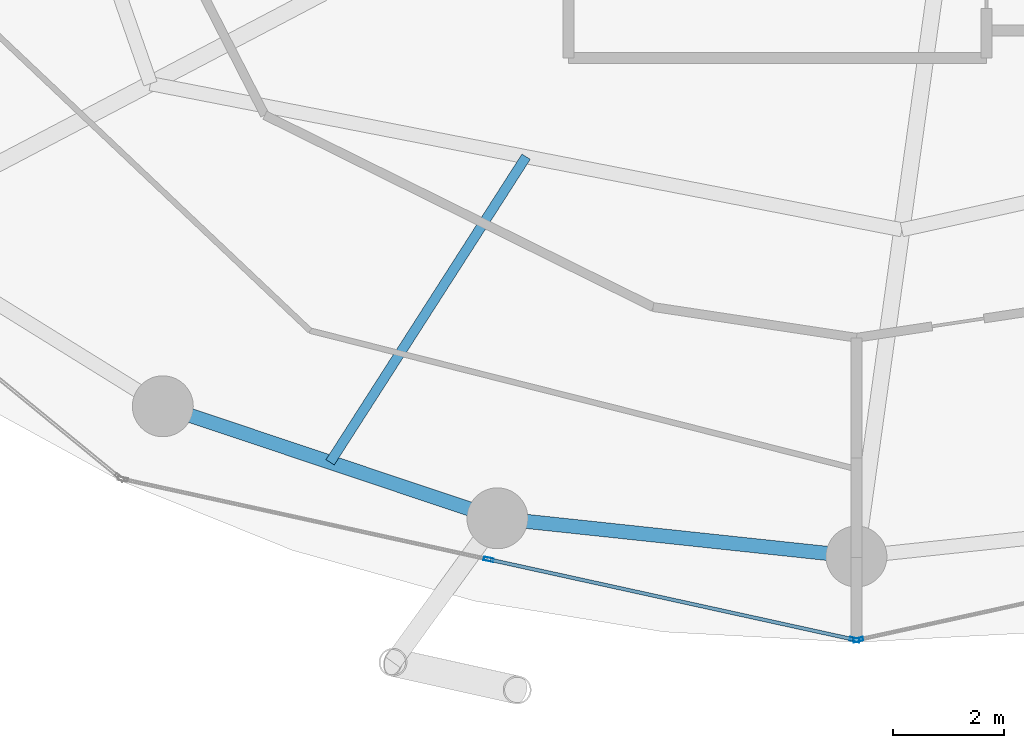
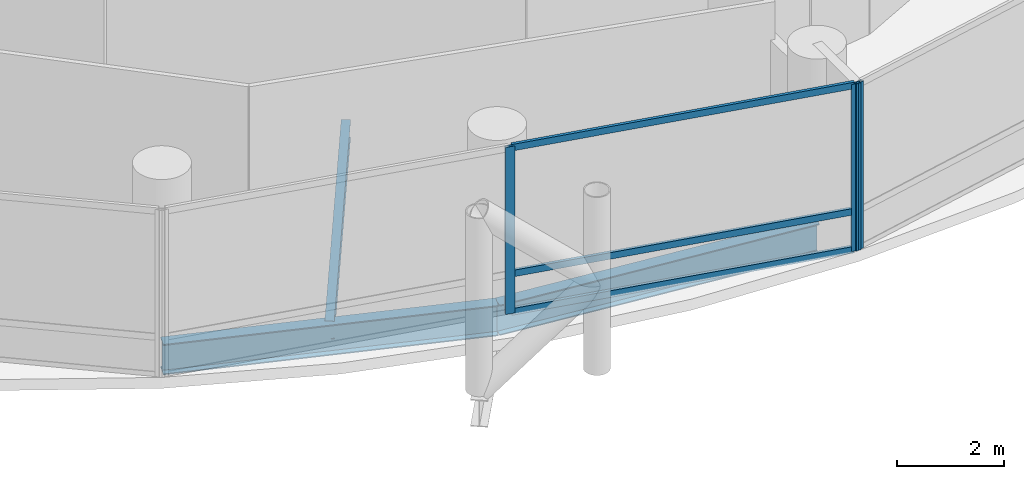
# One storey, part 4 of 24: 6 members, 3 beams, 2 elements without a shape of their own.
"""IFC4 building model written with IfcOpenShell, lengths in metres."""

from ifc_helpers import new_model, si_unit, direction, frame, origin, origin_2d, place, context, subcontext, project, spatial, hollow_rectangle, i_section, extrude, material, layer, layer_set, material_profile, profile_set, type_object, element, aggregate, save


model = new_model("IFC4")

# Units and contexts
model_context = context("Model", 3, precision=1e-05, world=origin(), true_north=direction((0.0, 1.0)))
body_context = subcontext(model_context, "Body", "Model", "MODEL_VIEW")
ifc_project = project(units=[si_unit("LENGTHUNIT", "METRE"), si_unit("AREAUNIT", "SQUARE_METRE"), si_unit("VOLUMEUNIT", "CUBIC_METRE"), si_unit("PLANEANGLEUNIT", "RADIAN"), si_unit("MASSUNIT", "GRAM", prefix="KILO")], contexts=[model_context])

# Site, building, storey
site_placement = place(None, origin())
site = spatial("IfcSite", under=ifc_project, at=site_placement, CompositionType="ELEMENT")
building_placement = place(site_placement, origin())
building = spatial("IfcBuilding", under=site, at=building_placement, Name="Nuhasar Tower", CompositionType="ELEMENT")
storey_placement = place(building_placement, frame((0.0, 0.0, 69.60009765625)))
storey = spatial("IfcBuildingStorey", under=building, at=storey_placement, Name="L16", CompositionType="ELEMENT", Elevation=69.60009765625)

# Beams
ifc_material_1 = material(Name="Steel S355", Category="steel")
ifc_material_profile_1 = material_profile(ifc_material_1, i_section(OverallWidth=0.177978515625, OverallDepth=0.406005859375, WebThickness=0.0078125, FlangeThickness=0.0126953125, at=origin_2d()), Name="W16X40")
ifc_profile_set_1 = profile_set([ifc_material_profile_1], Name="Steel S355")
beam_type_1 = type_object("IfcBeamType", Name="BM-JST-W16X40", PredefinedType="JOIST", material=ifc_profile_set_1)
beam_1_placement = place(storey_placement, frame((33.035888671875, 13.77001953125, -0.453125), z_axis=(-0.539944240715, -0.841700788237, 0.0), x_axis=(0.841700788237, -0.539944240715, 0.0)))
element("IfcBeam", 1, at=beam_1_placement, inside=storey, type_object=beam_type_1, Name="L16 Secondary Floor Joist 01", PredefinedType="JOIST", context=body_context, shape_type="SweptSolid", body=[
    extrude(i_section(OverallWidth=0.177978515625, OverallDepth=0.406005859375, WebThickness=0.0078125, FlangeThickness=0.0126953125, at=origin_2d()), origin(), (0.0, 0.0, 1.0), 6.555908203125),
])
ifc_material_profile_2 = material_profile(ifc_material_1, i_section(OverallWidth=0.256103515625, OverallDepth=0.693115234375, WebThickness=0.014404296875, FlangeThickness=0.023681640625, at=origin_2d()), Name="W27X114")
ifc_profile_set_2 = profile_set([ifc_material_profile_2], Name="Steel S355")
beam_type_2 = type_object("IfcBeamType", Name="BM-RING-W27X114", PredefinedType="SPANDREL", material=ifc_profile_set_2)
beam_2_placement = place(storey_placement, frame((26.47509765625, 9.262939453125, -0.59716796875), z_axis=(0.94826097201, -0.317491935271, 0.0), x_axis=(0.317491935271, 0.94826097201, 0.0)))
element("IfcBeam", 2, at=beam_2_placement, inside=storey, type_object=beam_type_2, Name="L16 Perimeter Ring Spandrel 17", PredefinedType="SPANDREL", context=body_context, shape_type="SweptSolid", body=[
    extrude(i_section(OverallWidth=0.256103515625, OverallDepth=0.693115234375, WebThickness=0.014404296875, FlangeThickness=0.023681640625, at=origin_2d()), origin(), (0.0, 0.0, 1.0), 6.37158203125),
])
beam_3_placement = place(storey_placement, frame((32.51708984375, 7.239990234375, -0.59716796875), z_axis=(0.994384554061, -0.105827022286, 0.0), x_axis=(0.105827022286, 0.994384554061, 0.0)))
element("IfcBeam", 3, at=beam_3_placement, inside=storey, type_object=beam_type_2, Name="L16 Perimeter Ring Spandrel 18", PredefinedType="SPANDREL", context=body_context, shape_type="SweptSolid", body=[
    extrude(i_section(OverallWidth=0.256103515625, OverallDepth=0.693115234375, WebThickness=0.014404296875, FlangeThickness=0.023681640625, at=origin_2d()), origin(), (0.0, 0.0, 1.0), 6.51953125),
])

# Curtain wall, members
ifc_material_2 = material(Name="Aluminium 6063-T6", Category="aluminium")
ifc_layer = layer(ifc_material_2, 0.199951171875)
ifc_layer_set = layer_set([ifc_layer], Name="Aluminium 6063-T6")
curtain_wall_type = type_object("IfcCurtainWallType", Name="CW-Z1-OFF", PredefinedType="NOTDEFINED", material=ifc_layer_set)
curtain_wall_1_placement = place(storey_placement, origin())
curtain_wall_1 = element("IfcCurtainWall", 4, at=curtain_wall_1_placement, inside=storey, type_object=curtain_wall_type, Name="L16 Unitised Curtain Wall 09", PredefinedType="NOTDEFINED")
ifc_material_profile_3 = material_profile(ifc_material_2, hollow_rectangle(XDim=0.06494140625, YDim=0.179931640625, WallThickness=0.0048828125, at=origin_2d()), Name="CWM-2")
ifc_profile_set_3 = profile_set([ifc_material_profile_3], Name="Aluminium 6063-T6")
member_type_1 = type_object("IfcMemberType", Name="CW-MUL-S2", PredefinedType="MULLION", material=ifc_profile_set_3)
member_1_placement = place(storey_placement, frame((32.360107421875, 6.49755859375, 0.0), z_axis=(0.0, 0.0, 1.0), x_axis=(0.214398737637, 0.976746221544, 0.0)))
member_1 = element("IfcMember", 5, at=member_1_placement, type_object=member_type_1, Name="CW-Z1 mullion 2", PredefinedType="MULLION", context=body_context, shape_type="SweptSolid", body=[
    extrude(hollow_rectangle(XDim=0.06494140625, YDim=0.179931640625, WallThickness=0.0048828125, at=origin_2d()), origin(), (0.0, 0.0, 1.0), 3.7998046875),
])
member_2_placement = place(storey_placement, frame((38.96826171875, 5.046875, 0.0), z_axis=(0.0, 0.0, 1.0), x_axis=(0.214398737637, 0.976746221544, 0.0)))
member_2 = element("IfcMember", 6, at=member_2_placement, type_object=member_type_1, Name="CW-Z1 mullion 3", PredefinedType="MULLION", context=body_context, shape_type="SweptSolid", body=[
    extrude(hollow_rectangle(XDim=0.06494140625, YDim=0.179931640625, WallThickness=0.0048828125, at=origin_2d()), origin(), (0.0, 0.0, 1.0), 3.7998046875),
])

# Curtain wall, member
curtain_wall_2_placement = place(storey_placement, origin())
curtain_wall_2 = element("IfcCurtainWall", 7, at=curtain_wall_2_placement, inside=storey, type_object=curtain_wall_type, Name="L16 Unitised Curtain Wall 10", PredefinedType="NOTDEFINED")
member_3_placement = place(storey_placement, frame((39.03173828125, 5.046875, 0.0), z_axis=(0.0, 0.0, 1.0), x_axis=(-0.214398737637, 0.976746221544, 0.0)))
member_3 = element("IfcMember", 8, at=member_3_placement, type_object=member_type_1, Name="CW-Z1 mullion 1", PredefinedType="MULLION", context=body_context, shape_type="SweptSolid", body=[
    extrude(hollow_rectangle(XDim=0.06494140625, YDim=0.179931640625, WallThickness=0.0048828125, at=origin_2d()), origin(), (0.0, 0.0, 1.0), 3.7998046875),
])
aggregate(curtain_wall_2, [member_3])

# Member
ifc_material_profile_4 = material_profile(ifc_material_2, hollow_rectangle(XDim=0.06494140625, YDim=0.14990234375, WallThickness=0.00439453125, at=origin_2d()), Name="CWT-2")
ifc_profile_set_4 = profile_set([ifc_material_profile_4], Name="Aluminium 6063-T6")
member_type_2 = type_object("IfcMemberType", Name="CW-TRN-S2", PredefinedType="USERDEFINED", material=ifc_profile_set_4)
member_4_placement = place(storey_placement, frame((32.391845703125, 6.490478515625, 0.032470703125), z_axis=(0.976747879138, -0.214391185916, 0.0), x_axis=(0.214391185916, 0.976747879138, 0.0)))
member_4 = element("IfcMember", 9, at=member_4_placement, type_object=member_type_2, Name="CW-Z1 transom 2.1", ObjectType="TRANSOM", PredefinedType="USERDEFINED", context=body_context, shape_type="SweptSolid", body=[
    extrude(hollow_rectangle(XDim=0.06494140625, YDim=0.14990234375, WallThickness=0.00439453125, at=origin_2d()), origin(), (0.0, 0.0, 1.0), 6.700439453125),
])

member_5_placement = place(storey_placement, frame((32.391845703125, 6.490478515625, 0.89990234375), z_axis=(0.976747879138, -0.214391185916, 0.0), x_axis=(0.214391185916, 0.976747879138, 0.0)))
member_5 = element("IfcMember", 10, at=member_5_placement, type_object=member_type_2, Name="CW-Z1 transom 2.2", ObjectType="TRANSOM", PredefinedType="USERDEFINED", context=body_context, shape_type="SweptSolid", body=[
    extrude(hollow_rectangle(XDim=0.06494140625, YDim=0.14990234375, WallThickness=0.00439453125, at=origin_2d()), origin(), (0.0, 0.0, 1.0), 6.700439453125),
])

member_6_placement = place(storey_placement, frame((32.391845703125, 6.490478515625, 3.767333984375), z_axis=(0.976747879138, -0.214391185916, 0.0), x_axis=(0.214391185916, 0.976747879138, 0.0)))
member_6 = element("IfcMember", 11, at=member_6_placement, type_object=member_type_2, Name="CW-Z1 transom 2.3", ObjectType="TRANSOM", PredefinedType="USERDEFINED", context=body_context, shape_type="SweptSolid", body=[
    extrude(hollow_rectangle(XDim=0.06494140625, YDim=0.14990234375, WallThickness=0.00439453125, at=origin_2d()), origin(), (0.0, 0.0, 1.0), 6.700439453125),
])

aggregate(curtain_wall_1, [member_1, member_2, member_4, member_5, member_6])

save(model, "model.ifc")
